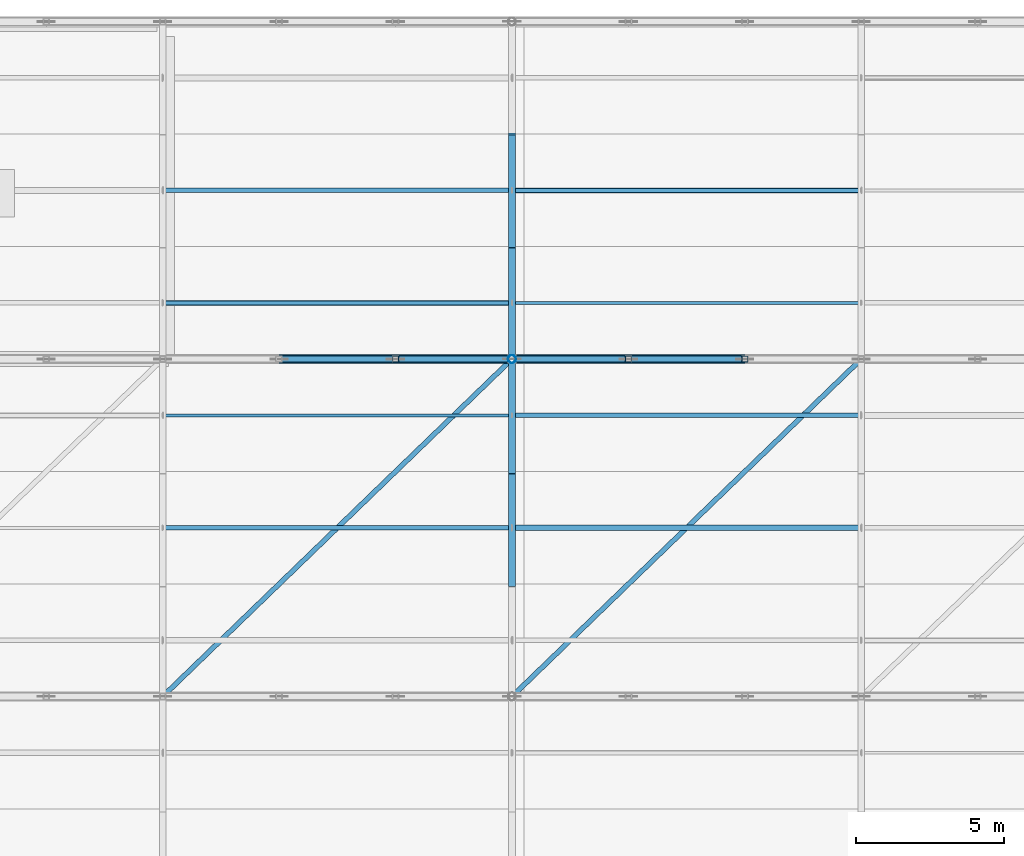
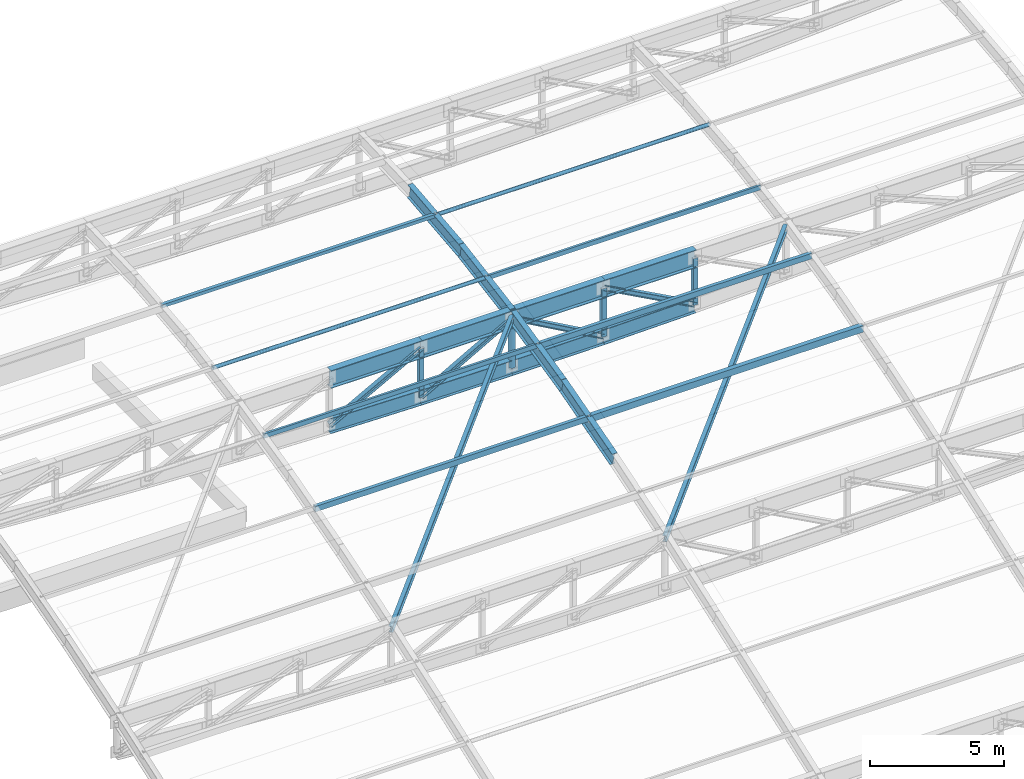
# One storey, part 26 of 65: 22 members, 8 beams.
"""IFC4 building model written with IfcOpenShell, lengths in metres."""

from ifc_helpers import new_model, si_unit, direction, frame, origin, origin_2d, place, context, subcontext, project, spatial, hollow_rectangle, hollow_circle, i_section, extrude, material, material_profile, profile_set, type_object, element, save


model = new_model("IFC4")

# Units and contexts
model_context = context("Model", 3, precision=1e-05, world=origin(), true_north=direction((0.0, 1.0)))
body_context = subcontext(model_context, "Body", "Model", "MODEL_VIEW")
ifc_project = project(units=[si_unit("LENGTHUNIT", "METRE"), si_unit("AREAUNIT", "SQUARE_METRE"), si_unit("VOLUMEUNIT", "CUBIC_METRE"), si_unit("PLANEANGLEUNIT", "RADIAN"), si_unit("MASSUNIT", "GRAM", prefix="KILO"), si_unit("POWERUNIT", "WATT"), si_unit("THERMODYNAMICTEMPERATUREUNIT", "KELVIN")], contexts=[model_context])

# Site, building, storey
site_placement = place(None, origin())
site = spatial("IfcSite", under=ifc_project, at=site_placement, CompositionType="ELEMENT")
building_placement = place(site_placement, origin())
building = spatial("IfcBuilding", under=site, at=building_placement, Name="Kelmbourne Parkland Aquatics Centre", CompositionType="ELEMENT")
storey_placement = place(building_placement, frame((0.0, 0.0, 27.0)))
storey = spatial("IfcBuildingStorey", under=building, at=storey_placement, Name="RF", CompositionType="ELEMENT", Elevation=27.0)

# Members
ifc_material_1 = material(Name="Structural steel AS/NZS 3679.1 Grade 300", Category="steel")
ifc_material_profile_1 = material_profile(ifc_material_1, i_section(OverallWidth=0.166015625, OverallDepth=0.306884765625, WebThickness=0.006591796875, FlangeThickness=0.01171875, at=origin_2d()), Name="310UB46.2")
ifc_profile_set_1 = profile_set([ifc_material_profile_1], Name="Structural steel AS/NZS 3679.1 Grade 300")
member_type_1 = type_object("IfcMemberType", Name="MB-BR-I", PredefinedType="BRACE", material=ifc_profile_set_1)
for number, where, z_axis, x_axis, name in (
    (1, (139.80712890625, 92.0068359375, -3.200927734375), (0.705999492811, 0.682073751325, 0.190630831461), (-0.694815416631, 0.719188109476, 0.0), "Roof wind diagonal brace B9-36"),
    (2, (151.607177734375, 92.0068359375, -3.200927734375), (0.705992157546, 0.682080793715, 0.190632799719), (-0.694822861116, 0.719180917204, 0.0), "Roof wind diagonal brace B9-69"),
):
    element("IfcMember", number, at=place(storey_placement, frame(where, z_axis=z_axis, x_axis=x_axis)), inside=storey, type_object=member_type_1, Name=name, PredefinedType="BRACE", context=body_context, shape_type="SweptSolid", body=[
        extrude(i_section(OverallWidth=0.166015625, OverallDepth=0.306884765625, WebThickness=0.006591796875, FlangeThickness=0.01171875, at=origin_2d()), origin(), (0.0, 0.0, 1.0), 16.69384765625),
    ])
ifc_material_profile_2 = material_profile(ifc_material_1, i_section(OverallWidth=0.205078125, OverallDepth=0.2099609375, WebThickness=0.00927734375, FlangeThickness=0.01416015625, at=origin_2d()), Name="200UC59.5")
ifc_profile_set_2 = profile_set([ifc_material_profile_2], Name="Structural steel AS/NZS 3679.1 Grade 300")
member_type_2 = type_object("IfcMemberType", Name="MB-DIAG3", PredefinedType="STRUT", material=ifc_profile_set_2)
member_1_placement = place(storey_placement, frame((143.7333984375, 103.39990234375, -2.152099609375), z_axis=(0.878829905293, 0.0, 0.477135198411), x_axis=(0.0, 1.0, 0.0)))
element("IfcMember", 3, at=member_1_placement, inside=storey, type_object=member_type_2, Name="Roof truss R09 web diagonal 5", PredefinedType="STRUT", context=body_context, shape_type="SweptSolid", body=[
    extrude(i_section(OverallWidth=0.205078125, OverallDepth=0.2099609375, WebThickness=0.00927734375, FlangeThickness=0.01416015625, at=origin_2d()), origin(), (0.0, 0.0, 1.0), 4.4755859375),
])
for number, where, z_axis, x_axis, name in (
    (4, (147.666748046875, 103.39990234375, -2.222900390625), (0.872163322486, 0.0, 0.489214818776), (0.0, 1.0, 0.0), "Roof truss R09 web diagonal 6"),
    (5, (151.60009765625, 103.39990234375, -0.0166015625), (0.872150365461, 0.0, -0.489237917608), (0.0, 1.0, 0.0), "Roof truss R09 web diagonal 7"),
):
    element("IfcMember", number, at=place(storey_placement, frame(where, z_axis=z_axis, x_axis=x_axis)), inside=storey, type_object=member_type_2, Name=name, PredefinedType="STRUT", context=body_context, shape_type="SweptSolid", body=[
        extrude(i_section(OverallWidth=0.205078125, OverallDepth=0.2099609375, WebThickness=0.00927734375, FlangeThickness=0.01416015625, at=origin_2d()), origin(), (0.0, 0.0, 1.0), 4.509765625),
    ])
member_2_placement = place(storey_placement, frame((155.533203125, 103.39990234375, -0.0166015625), z_axis=(0.878842322789, 0.0, -0.477112326057), x_axis=(0.0, 1.0, 0.0)))
element("IfcMember", 6, at=member_2_placement, inside=storey, type_object=member_type_2, Name="Roof truss R09 web diagonal 8", PredefinedType="STRUT", context=body_context, shape_type="SweptSolid", body=[
    extrude(i_section(OverallWidth=0.205078125, OverallDepth=0.2099609375, WebThickness=0.00927734375, FlangeThickness=0.01416015625, at=origin_2d()), origin(), (0.0, 0.0, 1.0), 4.475830078125),
])
ifc_material_profile_3 = material_profile(ifc_material_1, i_section(OverallWidth=0.22900390625, OverallDepth=0.612060546875, WebThickness=0.011962890625, FlangeThickness=0.01953125, at=origin_2d()), Name="610UB125")
ifc_profile_set_3 = profile_set([ifc_material_profile_3], Name="Structural steel AS/NZS 3679.1 Grade 300")
member_type_3 = type_object("IfcMemberType", Name="MB-LRIB", PredefinedType="STRUT", material=ifc_profile_set_3)
member_3_placement = place(storey_placement, frame((151.60009765625, 95.800048828125, -1.85546875), z_axis=(0.0, 0.962176700745, 0.272426130433), x_axis=(-1.0, 0.0, 0.0)))
element("IfcMember", 7, at=member_3_placement, inside=storey, type_object=member_type_3, Name="Longitudinal wave rib K6 strip 26", PredefinedType="STRUT", context=body_context, shape_type="SweptSolid", body=[
    extrude(i_section(OverallWidth=0.22900390625, OverallDepth=0.612060546875, WebThickness=0.011962890625, FlangeThickness=0.01953125, at=origin_2d()), origin(), (0.0, 0.0, 1.0), 3.949462890625),
])
member_4_placement = place(storey_placement, frame((151.60009765625, 99.60009765625, -0.779541015625), z_axis=(0.0, 0.974043015696, 0.226362990733), x_axis=(-1.0, 0.0, 0.0)))
element("IfcMember", 8, at=member_4_placement, inside=storey, type_object=member_type_3, Name="Longitudinal wave rib K6 strip 27", PredefinedType="STRUT", context=body_context, shape_type="SweptSolid", body=[
    extrude(i_section(OverallWidth=0.22900390625, OverallDepth=0.612060546875, WebThickness=0.011962890625, FlangeThickness=0.01953125, at=origin_2d()), origin(), (0.0, 0.0, 1.0), 3.901123046875),
])
member_5_placement = place(storey_placement, frame((151.60009765625, 103.39990234375, 0.103515625), z_axis=(0.0, 0.985424271637, 0.170114681522), x_axis=(-1.0, 0.0, 0.0)))
element("IfcMember", 9, at=member_5_placement, inside=storey, type_object=member_type_3, Name="Longitudinal wave rib K6 strip 28", PredefinedType="STRUT", context=body_context, shape_type="SweptSolid", body=[
    extrude(i_section(OverallWidth=0.22900390625, OverallDepth=0.612060546875, WebThickness=0.011962890625, FlangeThickness=0.01953125, at=origin_2d()), origin(), (0.0, 0.0, 1.0), 3.856201171875),
])
member_6_placement = place(storey_placement, frame((151.60009765625, 107.199951171875, 0.759521484375), z_axis=(0.0, 0.994394631205, 0.105732291336), x_axis=(-1.0, 0.0, 0.0)))
element("IfcMember", 10, at=member_6_placement, inside=storey, type_object=member_type_3, Name="Longitudinal wave rib K6 strip 29", PredefinedType="STRUT", context=body_context, shape_type="SweptSolid", body=[
    extrude(i_section(OverallWidth=0.22900390625, OverallDepth=0.612060546875, WebThickness=0.011962890625, FlangeThickness=0.01953125, at=origin_2d()), origin(), (0.0, 0.0, 1.0), 3.821533203125),
])
ifc_material_2 = material(Name="Cold-formed hollow steel AS/NZS 1163 C350L0", Category="steel")
ifc_material_profile_4 = material_profile(ifc_material_2, hollow_rectangle(XDim=0.199951171875, YDim=0.199951171875, WallThickness=0.010009765625, at=origin_2d()), Name="SHS 200x200x10.0")
ifc_profile_set_4 = profile_set([ifc_material_profile_4], Name="Cold-formed hollow steel AS/NZS 1163 C350L0")
member_type_4 = type_object("IfcMemberType", Name="MB-POST1", PredefinedType="STRUT", material=ifc_profile_set_4)
for number, where, z_axis, x_axis, name in (
    (11, (147.666748046875, 103.39990234375, -2.222900390625), (0.0, 0.0, 1.0), (1.0, 0.0, 0.0), "Roof truss R09 vertical post 5"),
    (12, (155.533203125, 103.39990234375, -2.222900390625), (0.0, 0.0, 1.0), (1.0, 0.0, 0.0), "Roof truss R09 vertical post 7"),
):
    element("IfcMember", number, at=place(storey_placement, frame(where, z_axis=z_axis, x_axis=x_axis)), inside=storey, type_object=member_type_4, Name=name, PredefinedType="STRUT", context=body_context, shape_type="SweptSolid", body=[
        extrude(hollow_rectangle(XDim=0.199951171875, YDim=0.199951171875, WallThickness=0.010009765625, at=origin_2d()), origin(), (0.0, 0.0, 1.0), 2.206298828125),
    ])
member_7_placement = place(storey_placement, frame((159.466796875, 103.39990234375, -2.152099609375), z_axis=(0.0, 0.0, 1.0), x_axis=(1.0, 0.0, 0.0)))
element("IfcMember", 13, at=member_7_placement, inside=storey, type_object=member_type_4, Name="Roof truss R09 vertical post 8", PredefinedType="STRUT", context=body_context, shape_type="SweptSolid", body=[
    extrude(hollow_rectangle(XDim=0.199951171875, YDim=0.199951171875, WallThickness=0.010009765625, at=origin_2d()), origin(), (0.0, 0.0, 1.0), 2.135498046875),
])
ifc_material_profile_5 = material_profile(ifc_material_2, hollow_circle(Radius=0.136474609375, WallThickness=0.00927734375, at=origin_2d()), Name="CHS 273.1x9.3")
ifc_profile_set_5 = profile_set([ifc_material_profile_5], Name="Cold-formed hollow steel AS/NZS 1163 C350L0")
member_type_5 = type_object("IfcMemberType", Name="MB-POST2", PredefinedType="STRUT", material=ifc_profile_set_5)
member_8_placement = place(storey_placement, frame((151.60009765625, 103.39990234375, -2.24658203125), z_axis=(0.0, 0.0, 1.0), x_axis=(1.0, 0.0, 0.0)))
element("IfcMember", 14, at=member_8_placement, inside=storey, type_object=member_type_5, Name="Roof truss R09 vertical post 6", PredefinedType="STRUT", context=body_context, shape_type="SweptSolid", body=[
    extrude(hollow_circle(Radius=0.136474609375, WallThickness=0.00927734375, at=origin_2d()), origin(), (0.0, 0.0, 1.0), 2.22998046875),
])
ifc_material_profile_6 = material_profile(ifc_material_2, hollow_rectangle(XDim=0.10009765625, YDim=0.199951171875, WallThickness=0.006103515625, at=origin_2d()), Name="RHS 200x100x6.0")
ifc_profile_set_6 = profile_set([ifc_material_profile_6], Name="Cold-formed hollow steel AS/NZS 1163 C350L0")
member_type_6 = type_object("IfcMemberType", Name="MB-PUR1", PredefinedType="PURLIN", material=ifc_profile_set_6)
member_9_placement = place(storey_placement, frame((139.800048828125, 101.5, -0.128173828125), z_axis=(1.0, 0.0, 0.0), x_axis=(0.0, 1.0, 0.0)))
element("IfcMember", 15, at=member_9_placement, inside=storey, type_object=member_type_6, Name="Wave roof purlin S27-G2", PredefinedType="PURLIN", context=body_context, shape_type="SweptSolid", body=[
    extrude(hollow_rectangle(XDim=0.10009765625, YDim=0.199951171875, WallThickness=0.006103515625, at=origin_2d()), origin(), (0.0, 0.0, 1.0), 11.800048828125),
])
member_10_placement = place(storey_placement, frame((151.60009765625, 105.300048828125, 0.641357421875), z_axis=(1.0, 0.0, 0.0), x_axis=(0.0, 1.0, 0.0)))
element("IfcMember", 16, at=member_10_placement, inside=storey, type_object=member_type_6, Name="Wave roof purlin S28-G3", PredefinedType="PURLIN", context=body_context, shape_type="SweptSolid", body=[
    extrude(hollow_rectangle(XDim=0.10009765625, YDim=0.199951171875, WallThickness=0.006103515625, at=origin_2d()), origin(), (0.0, 0.0, 1.0), 11.7998046875),
])
ifc_material_profile_7 = material_profile(ifc_material_2, hollow_rectangle(XDim=0.14990234375, YDim=0.25, WallThickness=0.009033203125, at=origin_2d()), Name="RHS 250x150x9.0")
ifc_profile_set_7 = profile_set([ifc_material_profile_7], Name="Cold-formed hollow steel AS/NZS 1163 C350L0")
member_type_7 = type_object("IfcMemberType", Name="MB-PUR2", PredefinedType="PURLIN", material=ifc_profile_set_7)
member_11_placement = place(storey_placement, frame((139.800048828125, 97.699951171875, -1.132568359375), z_axis=(1.0, 0.0, 0.0), x_axis=(0.0, 1.0, 0.0)))
element("IfcMember", 17, at=member_11_placement, inside=storey, type_object=member_type_7, Name="Wave roof purlin S26-G2", PredefinedType="PURLIN", context=body_context, shape_type="SweptSolid", body=[
    extrude(hollow_rectangle(XDim=0.14990234375, YDim=0.25, WallThickness=0.009033203125, at=origin_2d()), origin(), (0.0, 0.0, 1.0), 11.800048828125),
])
member_12_placement = place(storey_placement, frame((151.60009765625, 101.5, -0.153076171875), z_axis=(1.0, 0.0, 0.0), x_axis=(0.0, 1.0, 0.0)))
element("IfcMember", 18, at=member_12_placement, inside=storey, type_object=member_type_7, Name="Wave roof purlin S27-G3", PredefinedType="PURLIN", context=body_context, shape_type="SweptSolid", body=[
    extrude(hollow_rectangle(XDim=0.14990234375, YDim=0.25, WallThickness=0.009033203125, at=origin_2d()), origin(), (0.0, 0.0, 1.0), 11.7998046875),
])
ifc_material_profile_8 = material_profile(ifc_material_2, hollow_rectangle(XDim=0.199951171875, YDim=0.300048828125, WallThickness=0.010009765625, at=origin_2d()), Name="RHS 300x200x10.0")
ifc_profile_set_8 = profile_set([ifc_material_profile_8], Name="Cold-formed hollow steel AS/NZS 1163 C350L0")
member_type_8 = type_object("IfcMemberType", Name="MB-PUR3", PredefinedType="PURLIN", material=ifc_profile_set_8)
member_13_placement = place(storey_placement, frame((151.60009765625, 97.699951171875, -1.157470703125), z_axis=(1.0, 0.0, 0.0), x_axis=(0.0, 1.0, 0.0)))
element("IfcMember", 19, at=member_13_placement, inside=storey, type_object=member_type_8, Name="Wave roof purlin S26-G3", PredefinedType="PURLIN", context=body_context, shape_type="SweptSolid", body=[
    extrude(hollow_rectangle(XDim=0.199951171875, YDim=0.300048828125, WallThickness=0.010009765625, at=origin_2d()), origin(), (0.0, 0.0, 1.0), 11.7998046875),
])
ifc_material_profile_9 = material_profile(ifc_material_2, hollow_rectangle(XDim=0.14990234375, YDim=0.14990234375, WallThickness=0.009033203125, at=origin_2d()), Name="SHS 150x150x9.0")
ifc_profile_set_9 = profile_set([ifc_material_profile_9], Name="Cold-formed hollow steel AS/NZS 1163 C350L0")
member_type_9 = type_object("IfcMemberType", Name="MB-PUR4", PredefinedType="PURLIN", material=ifc_profile_set_9)
member_14_placement = place(storey_placement, frame((139.800048828125, 109.10009765625, 1.196533203125), z_axis=(1.0, 0.0, 0.0), x_axis=(0.0, 1.0, 0.0)))
element("IfcMember", 20, at=member_14_placement, inside=storey, type_object=member_type_9, Name="Wave roof purlin S29-G2", PredefinedType="PURLIN", context=body_context, shape_type="SweptSolid", body=[
    extrude(hollow_rectangle(XDim=0.14990234375, YDim=0.14990234375, WallThickness=0.009033203125, at=origin_2d()), origin(), (0.0, 0.0, 1.0), 11.800048828125),
])
ifc_material_profile_10 = material_profile(ifc_material_2, hollow_circle(Radius=0.084228515625, WallThickness=0.007080078125, at=origin_2d()), Name="CHS 168.3x7.1")
ifc_profile_set_10 = profile_set([ifc_material_profile_10], Name="Cold-formed hollow steel AS/NZS 1163 C350L0")
member_type_10 = type_object("IfcMemberType", Name="MB-PUR5", PredefinedType="PURLIN", material=ifc_profile_set_10)
member_15_placement = place(storey_placement, frame((139.800048828125, 105.300048828125, 0.6572265625), z_axis=(1.0, 0.0, 0.0), x_axis=(0.0, 1.0, 0.0)))
element("IfcMember", 21, at=member_15_placement, inside=storey, type_object=member_type_10, Name="Wave roof purlin S28-G2", PredefinedType="PURLIN", context=body_context, shape_type="SweptSolid", body=[
    extrude(hollow_circle(Radius=0.084228515625, WallThickness=0.007080078125, at=origin_2d()), origin(), (0.0, 0.0, 1.0), 11.800048828125),
])
member_16_placement = place(storey_placement, frame((151.60009765625, 109.10009765625, 1.1875), z_axis=(1.0, 0.0, 0.0), x_axis=(0.0, 1.0, 0.0)))
element("IfcMember", 22, at=member_16_placement, inside=storey, type_object=member_type_10, Name="Wave roof purlin S29-G3", PredefinedType="PURLIN", context=body_context, shape_type="SweptSolid", body=[
    extrude(hollow_circle(Radius=0.084228515625, WallThickness=0.007080078125, at=origin_2d()), origin(), (0.0, 0.0, 1.0), 11.7998046875),
])

# Beams
ifc_material_3 = material(Name="Welded plate steel AS/NZS 3678 Grade 350", Category="steel")
ifc_material_profile_11 = material_profile(ifc_material_3, i_section(OverallWidth=0.25, OverallDepth=0.699951171875, WebThickness=0.010009765625, FlangeThickness=0.02001953125, at=origin_2d()), Name="700WB130")
ifc_profile_set_11 = profile_set([ifc_material_profile_11], Name="Welded plate steel AS/NZS 3678 Grade 350")
beam_type_1 = type_object("IfcBeamType", Name="TR-BC2", PredefinedType="BEAM", material=ifc_profile_set_11)
beam_1_placement = place(storey_placement, frame((143.7333984375, 103.39990234375, -2.152099609375), z_axis=(0.999838037122, 0.0, -0.017997208787), x_axis=(0.0, 1.0, 0.0)))
element("IfcBeam", 23, at=beam_1_placement, inside=storey, type_object=beam_type_1, Name="Roof truss R09 bottom chord 5", PredefinedType="BEAM", context=body_context, shape_type="SweptSolid", body=[
    extrude(i_section(OverallWidth=0.25, OverallDepth=0.699951171875, WebThickness=0.010009765625, FlangeThickness=0.02001953125, at=origin_2d()), origin(), (0.0, 0.0, 1.0), 3.93408203125),
])
beam_2_placement = place(storey_placement, frame((147.666748046875, 103.39990234375, -2.222900390625), z_axis=(0.999981875891, 0.0, -0.006020622057), x_axis=(0.0, 1.0, 0.0)))
element("IfcBeam", 24, at=beam_2_placement, inside=storey, type_object=beam_type_1, Name="Roof truss R09 bottom chord 6", PredefinedType="BEAM", context=body_context, shape_type="SweptSolid", body=[
    extrude(i_section(OverallWidth=0.25, OverallDepth=0.699951171875, WebThickness=0.010009765625, FlangeThickness=0.02001953125, at=origin_2d()), origin(), (0.0, 0.0, 1.0), 3.933349609375),
])
beam_3_placement = place(storey_placement, frame((151.60009765625, 103.39990234375, -2.24658203125), z_axis=(0.999981873641, 0.0, 0.006020995763), x_axis=(0.0, 1.0, 0.0)))
element("IfcBeam", 25, at=beam_3_placement, inside=storey, type_object=beam_type_1, Name="Roof truss R09 bottom chord 7", PredefinedType="BEAM", context=body_context, shape_type="SweptSolid", body=[
    extrude(i_section(OverallWidth=0.25, OverallDepth=0.699951171875, WebThickness=0.010009765625, FlangeThickness=0.02001953125, at=origin_2d()), origin(), (0.0, 0.0, 1.0), 3.93310546875),
])
beam_4_placement = place(storey_placement, frame((155.533203125, 103.39990234375, -2.222900390625), z_axis=(0.999838057221, 0.0, 0.017996092142), x_axis=(0.0, 1.0, 0.0)))
element("IfcBeam", 26, at=beam_4_placement, inside=storey, type_object=beam_type_1, Name="Roof truss R09 bottom chord 8", PredefinedType="BEAM", context=body_context, shape_type="SweptSolid", body=[
    extrude(i_section(OverallWidth=0.25, OverallDepth=0.699951171875, WebThickness=0.010009765625, FlangeThickness=0.02001953125, at=origin_2d()), origin(), (0.0, 0.0, 1.0), 3.934326171875),
])
ifc_material_profile_12 = material_profile(ifc_material_3, i_section(OverallWidth=0.300048828125, OverallDepth=0.81591796875, WebThickness=0.011962890625, FlangeThickness=0.028076171875, at=origin_2d()), Name="800WB192")
ifc_profile_set_12 = profile_set([ifc_material_profile_12], Name="Welded plate steel AS/NZS 3678 Grade 350")
beam_type_2 = type_object("IfcBeamType", Name="TR-TC2", PredefinedType="BEAM", material=ifc_profile_set_12)
for number, where, z_axis, x_axis, name in (
    (27, (143.7333984375, 103.39990234375, -0.0166015625), (1.0, 0.0, 0.0), (0.0, 1.0, 0.0), "Roof truss R09 top chord 5"),
    (28, (147.666748046875, 103.39990234375, -0.0166015625), (1.0, 0.0, 0.0), (0.0, 1.0, 0.0), "Roof truss R09 top chord 6"),
):
    element("IfcBeam", number, at=place(storey_placement, frame(where, z_axis=z_axis, x_axis=x_axis)), inside=storey, type_object=beam_type_2, Name=name, PredefinedType="BEAM", context=body_context, shape_type="SweptSolid", body=[
        extrude(i_section(OverallWidth=0.300048828125, OverallDepth=0.81591796875, WebThickness=0.011962890625, FlangeThickness=0.028076171875, at=origin_2d()), origin(), (0.0, 0.0, 1.0), 3.933349609375),
    ])
beam_5_placement = place(storey_placement, frame((151.60009765625, 103.39990234375, -0.0166015625), z_axis=(1.0, 0.0, 0.0), x_axis=(0.0, 1.0, 0.0)))
element("IfcBeam", 29, at=beam_5_placement, inside=storey, type_object=beam_type_2, Name="Roof truss R09 top chord 7", PredefinedType="BEAM", context=body_context, shape_type="SweptSolid", body=[
    extrude(i_section(OverallWidth=0.300048828125, OverallDepth=0.81591796875, WebThickness=0.011962890625, FlangeThickness=0.028076171875, at=origin_2d()), origin(), (0.0, 0.0, 1.0), 3.93310546875),
])
beam_6_placement = place(storey_placement, frame((155.533203125, 103.39990234375, -0.0166015625), z_axis=(1.0, 0.0, 0.0), x_axis=(0.0, 1.0, 0.0)))
element("IfcBeam", 30, at=beam_6_placement, inside=storey, type_object=beam_type_2, Name="Roof truss R09 top chord 8", PredefinedType="BEAM", context=body_context, shape_type="SweptSolid", body=[
    extrude(i_section(OverallWidth=0.300048828125, OverallDepth=0.81591796875, WebThickness=0.011962890625, FlangeThickness=0.028076171875, at=origin_2d()), origin(), (0.0, 0.0, 1.0), 3.93359375),
])

save(model, "model.ifc")
